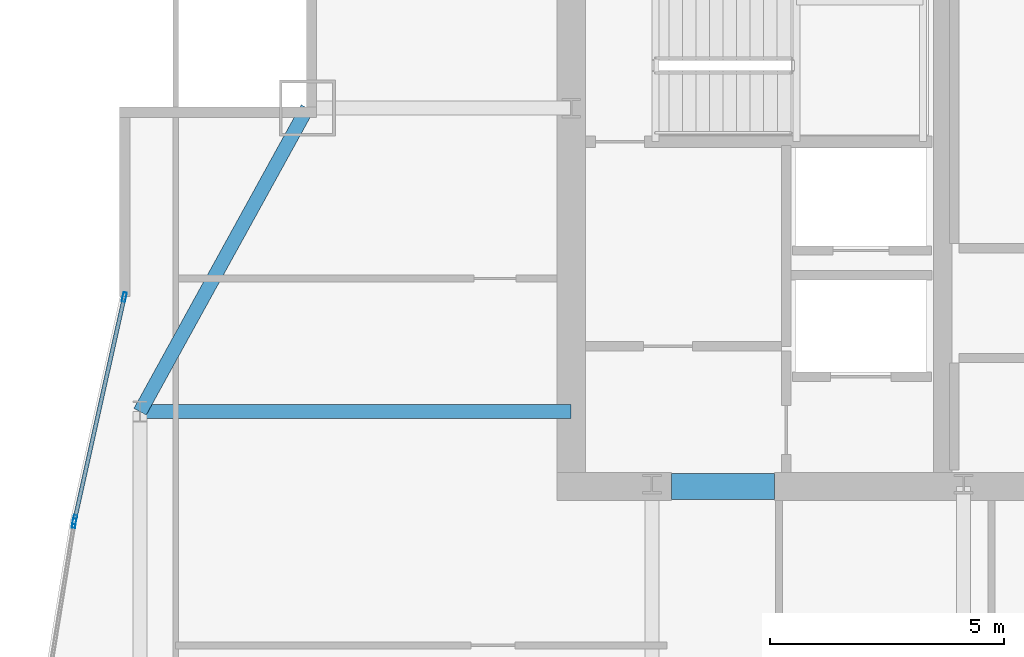
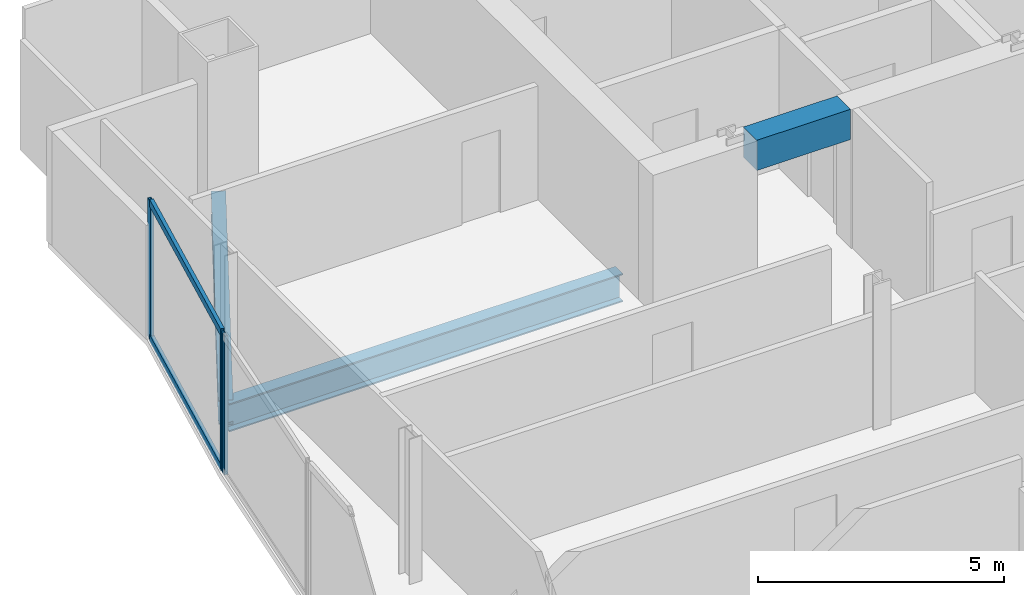
# One storey, part 20 of 30: 5 members, 3 beams, 2 elements without a shape of their own.
"""IFC4 building model written with IfcOpenShell, lengths in metres."""

from ifc_helpers import new_model, si_unit, direction, frame, origin, origin_2d, place, context, subcontext, project, spatial, rectangle, hollow_rectangle, i_section, extrude, material, material_profile, profile_set, type_object, element, aggregate, save


model = new_model("IFC4")

# Units and contexts
model_context = context("Model", 3, precision=1e-05, world=origin(), true_north=direction((0.0, 1.0)))
body_context = subcontext(model_context, "Body", "Model", "MODEL_VIEW")
ifc_project = project(units=[si_unit("LENGTHUNIT", "METRE"), si_unit("AREAUNIT", "SQUARE_METRE"), si_unit("VOLUMEUNIT", "CUBIC_METRE"), si_unit("PLANEANGLEUNIT", "RADIAN"), si_unit("MASSUNIT", "GRAM", prefix="KILO")], contexts=[model_context])

# Site, building, storey
site_placement = place(None, origin())
site = spatial("IfcSite", under=ifc_project, at=site_placement, CompositionType="ELEMENT")
building_placement = place(site_placement, origin())
building = spatial("IfcBuilding", under=site, at=building_placement, Name="Khoronbel Lancet Exchange", CompositionType="ELEMENT")
storey_placement = place(building_placement, frame((0.0, 0.0, 213.800048828125)))
storey = spatial("IfcBuildingStorey", under=building, at=storey_placement, Name="L54", CompositionType="ELEMENT", Elevation=213.800048828125)

# Beams
ifc_material_1 = material(Name="Steel S355", Category="steel")
ifc_material_profile_1 = material_profile(ifc_material_1, i_section(OverallWidth=0.300048828125, OverallDepth=0.699951171875, WebThickness=0.01708984375, FlangeThickness=0.031982421875, at=origin_2d()), Name="HEB 700")
ifc_profile_set_1 = profile_set([ifc_material_profile_1], Name="Steel S355")
beam_type_1 = type_object("IfcBeamType", Name="BM-BG3", PredefinedType="BEAM", material=ifc_profile_set_1)
beam_1_placement = place(storey_placement, frame((7.27001953125, 43.199951171875, -0.510009765625), z_axis=(1.0, 0.0, 0.0), x_axis=(0.0, 1.0, 0.0)))
element("IfcBeam", 1, at=beam_1_placement, inside=storey, type_object=beam_type_1, Name="Level L54 west lens tie girder LG3W", PredefinedType="BEAM", context=body_context, shape_type="SweptSolid", body=[
    extrude(i_section(OverallWidth=0.300048828125, OverallDepth=0.699951171875, WebThickness=0.01708984375, FlangeThickness=0.031982421875, at=origin_2d()), origin(), (0.0, 0.0, 1.0), 9.22998046875),
])
ifc_material_2 = material(Name="Concrete C60/75", Category="concrete")
ifc_material_profile_2 = material_profile(ifc_material_2, rectangle(XDim=0.550048828125, YDim=0.75, at=origin_2d()), Name="RC 550x750")
ifc_profile_set_2 = profile_set([ifc_material_profile_2], Name="Concrete C60/75")
beam_type_2 = type_object("IfcBeamType", Name="BM-BL2", PredefinedType="LINTEL", material=ifc_profile_set_2)
beam_2_placement = place(storey_placement, frame((18.64990234375, 41.60009765625, 3.06494140625), z_axis=(1.0, 0.0, 0.0), x_axis=(0.0, 1.0, 0.0)))
element("IfcBeam", 2, at=beam_2_placement, inside=storey, type_object=beam_type_2, Name="Level L54 rear core coupling lintel L1", PredefinedType="LINTEL", context=body_context, shape_type="SweptSolid", body=[
    extrude(rectangle(XDim=0.550048828125, YDim=0.75, at=origin_2d()), origin(), (0.0, 0.0, 1.0), 2.2001953125),
])
ifc_material_profile_3 = material_profile(ifc_material_1, i_section(OverallWidth=0.300048828125, OverallDepth=0.60009765625, WebThickness=0.015380859375, FlangeThickness=0.030029296875, at=origin_2d()), Name="HEB 600")
ifc_profile_set_3 = profile_set([ifc_material_profile_3], Name="Steel S355")
beam_type_3 = type_object("IfcBeamType", Name="BM-BSP2", PredefinedType="SPANDREL", material=ifc_profile_set_3)
beam_3_placement = place(storey_placement, frame((10.85009765625, 49.699951171875, -0.4599609375), z_axis=(-0.482444051088, -0.875926787791, 0.0), x_axis=(0.875926787791, -0.482444051088, 0.0)))
element("IfcBeam", 3, at=beam_3_placement, inside=storey, type_object=beam_type_3, Name="Level L54 perimeter spandrel beam SP16", PredefinedType="SPANDREL", context=body_context, shape_type="SweptSolid", body=[
    extrude(i_section(OverallWidth=0.300048828125, OverallDepth=0.60009765625, WebThickness=0.015380859375, FlangeThickness=0.030029296875, at=origin_2d()), origin(), (0.0, 0.0, 1.0), 7.420654296875),
])

# Curtain wall, member
ifc_material_3 = material(Name="Low-E Solar Control Insulating Glass", Category="glass")
curtain_wall_type = type_object("IfcCurtainWallType", Name="CW-4", PredefinedType="NOTDEFINED", material=ifc_material_3)
curtain_wall_1_placement = place(storey_placement, origin())
curtain_wall_1 = element("IfcCurtainWall", 4, at=curtain_wall_1_placement, inside=storey, type_object=curtain_wall_type, Name="Unitised curtain wall CW-L54-E08", PredefinedType="NOTDEFINED")
ifc_material_4 = material(Name="Bronze-Anodised Aluminium 6063-T6", Category="aluminium")
ifc_material_profile_4 = material_profile(ifc_material_4, hollow_rectangle(XDim=0.074951171875, YDim=0.199951171875, WallThickness=0.0048828125, at=origin_2d()), Name="ALU MULLION 75x200")
ifc_profile_set_4 = profile_set([ifc_material_profile_4], Name="Bronze-Anodised Aluminium 6063-T6")
member_type_1 = type_object("IfcMemberType", Name="MEM-CWM2", PredefinedType="MULLION", material=ifc_profile_set_4)
member_1_placement = place(storey_placement, frame((5.857421875, 40.812744140625, 0.0), z_axis=(0.0, 0.0, 1.0), x_axis=(-0.987003272186, 0.16070015773, 0.0)))
member_1 = element("IfcMember", 5, at=member_1_placement, type_object=member_type_1, Name="CW4 mullion 2", PredefinedType="MULLION", context=body_context, shape_type="SweptSolid", body=[
    extrude(hollow_rectangle(XDim=0.074951171875, YDim=0.199951171875, WallThickness=0.0048828125, at=origin_2d()), origin(), (0.0, 0.0, 1.0), 3.43994140625),
])
aggregate(curtain_wall_1, [member_1])

# Curtain wall, members
curtain_wall_2_placement = place(storey_placement, origin())
curtain_wall_2 = element("IfcCurtainWall", 6, at=curtain_wall_2_placement, inside=storey, type_object=curtain_wall_type, Name="Unitised curtain wall CW-L54-E09", PredefinedType="NOTDEFINED")
member_2_placement = place(storey_placement, frame((5.87158203125, 40.88623046875, 0.0), z_axis=(0.0, 0.0, 1.0), x_axis=(-0.976146235114, 0.217114089072, 0.0)))
member_2 = element("IfcMember", 7, at=member_2_placement, type_object=member_type_1, Name="CW4 mullion 1", PredefinedType="MULLION", context=body_context, shape_type="SweptSolid", body=[
    extrude(hollow_rectangle(XDim=0.074951171875, YDim=0.199951171875, WallThickness=0.0048828125, at=origin_2d()), origin(), (0.0, 0.0, 1.0), 3.43994140625),
])
member_3_placement = place(storey_placement, frame((6.931884765625, 45.653564453125, 0.0), z_axis=(0.0, 0.0, 1.0), x_axis=(-0.976146235114, 0.217114089072, 0.0)))
member_3 = element("IfcMember", 8, at=member_3_placement, type_object=member_type_1, Name="CW4 mullion 2", PredefinedType="MULLION", context=body_context, shape_type="SweptSolid", body=[
    extrude(hollow_rectangle(XDim=0.074951171875, YDim=0.199951171875, WallThickness=0.0048828125, at=origin_2d()), origin(), (0.0, 0.0, 1.0), 3.43994140625),
])
ifc_material_profile_5 = material_profile(ifc_material_4, hollow_rectangle(XDim=0.0849609375, YDim=0.179931640625, WallThickness=0.0048828125, at=origin_2d()), Name="ALU TRANSOM 85x180")
ifc_profile_set_5 = profile_set([ifc_material_profile_5], Name="Bronze-Anodised Aluminium 6063-T6")
member_type_2 = type_object("IfcMemberType", Name="MEM-CWT1", PredefinedType="USERDEFINED", material=ifc_profile_set_5)
member_4_placement = place(storey_placement, frame((5.879638671875, 40.9228515625, 0.04248046875), z_axis=(0.217140099971, 0.976140449415, 0.0), x_axis=(-0.976140449415, 0.217140099971, 0.0)))
member_4 = element("IfcMember", 9, at=member_4_placement, type_object=member_type_2, Name="CW4 transom 1.1", ObjectType="TRANSOM", PredefinedType="USERDEFINED", context=body_context, shape_type="SweptSolid", body=[
    extrude(hollow_rectangle(XDim=0.0849609375, YDim=0.179931640625, WallThickness=0.0048828125, at=origin_2d()), origin(), (0.0, 0.0, 1.0), 4.808837890625),
])
member_5_placement = place(storey_placement, frame((5.879638671875, 40.9228515625, 3.3974609375), z_axis=(0.217140099971, 0.976140449415, 0.0), x_axis=(-0.976140449415, 0.217140099971, 0.0)))
member_5 = element("IfcMember", 10, at=member_5_placement, type_object=member_type_2, Name="CW4 transom 1.2", ObjectType="TRANSOM", PredefinedType="USERDEFINED", context=body_context, shape_type="SweptSolid", body=[
    extrude(hollow_rectangle(XDim=0.0849609375, YDim=0.179931640625, WallThickness=0.0048828125, at=origin_2d()), origin(), (0.0, 0.0, 1.0), 4.808837890625),
])
aggregate(curtain_wall_2, [member_2, member_3, member_4, member_5])

save(model, "model.ifc")
